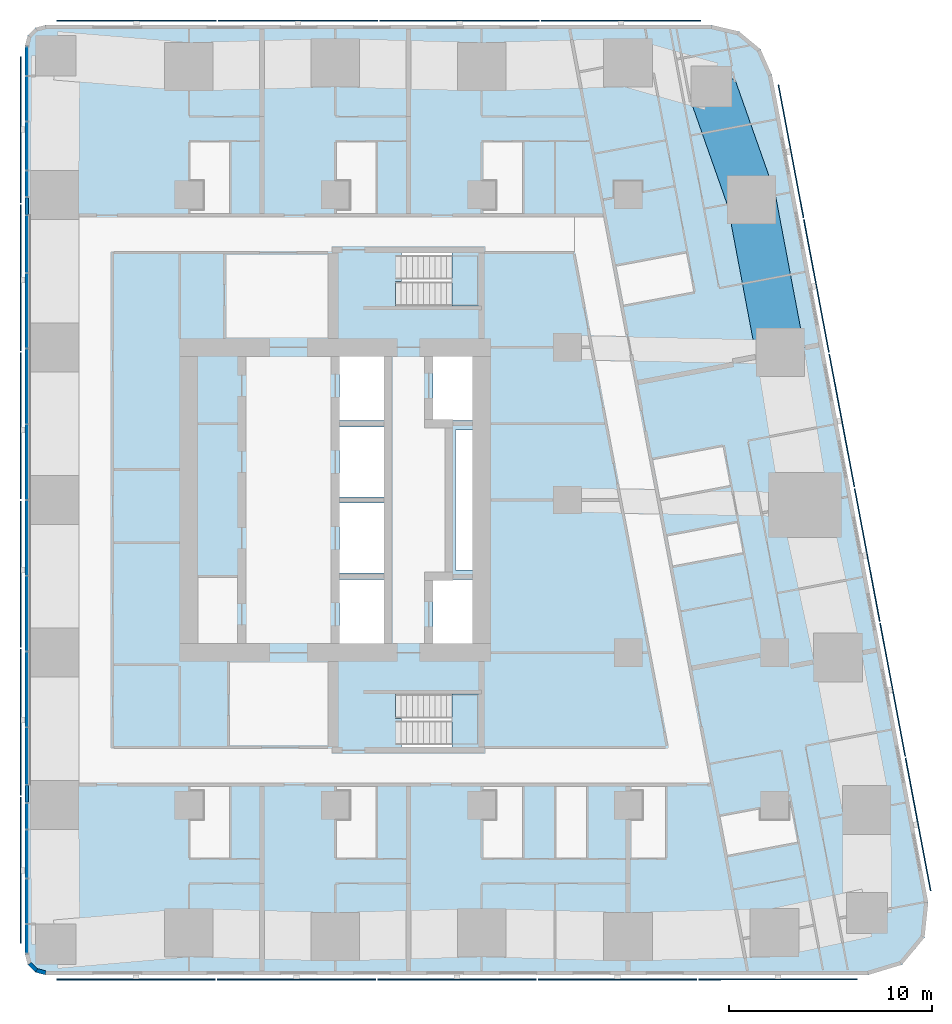
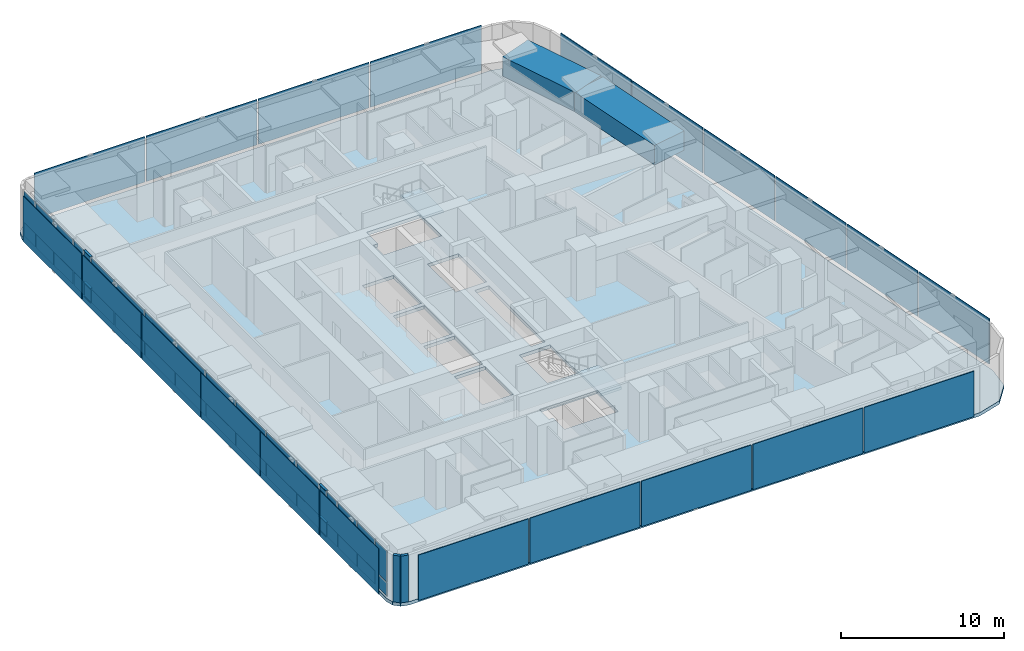
# One storey, part 6 of 17: 57 plates, 6 members, 3 slabs, 2 beams, 2 walls, 3 elements without a shape of their own.
"""IFC4 building model written with IfcOpenShell, lengths in metres."""

from ifc_helpers import new_model, si_unit, direction, frame, frame_2d, origin, origin_2d, place, context, subcontext, project, spatial, polyline, rectangle, outline, extrude, material, layer, layer_set, material_profile, profile_set, type_object, element, aggregate, save


model = new_model("IFC4")

# Units and contexts
model_context = context("Model", 3, precision=1e-05, world=origin(), true_north=direction((0.0, 1.0)))
body_context = subcontext(model_context, "Body", "Model", "MODEL_VIEW")
ifc_project = project(units=[si_unit("LENGTHUNIT", "METRE"), si_unit("AREAUNIT", "SQUARE_METRE"), si_unit("VOLUMEUNIT", "CUBIC_METRE"), si_unit("PLANEANGLEUNIT", "RADIAN"), si_unit("MASSUNIT", "GRAM", prefix="KILO")], contexts=[model_context])

# Site, building, storey
site_placement = place(None, origin())
site = spatial("IfcSite", under=ifc_project, at=site_placement, CompositionType="ELEMENT")
building_placement = place(site_placement, origin())
building = spatial("IfcBuilding", under=site, at=building_placement, Name="Sheger Commons Tower", CompositionType="ELEMENT")
storey_placement = place(building_placement, frame((0.0, 0.0, 204.949951171875)))
storey = spatial("IfcBuildingStorey", under=building, at=storey_placement, Name="L52", CompositionType="ELEMENT", Elevation=204.949951171875)

# Beams
ifc_material_1 = material(Name="Concrete C50/60", Category="concrete")
ifc_material_profile_1 = material_profile(ifc_material_1, rectangle(XDim=2.39990234375, YDim=1.449951171875, at=origin_2d()), Name="RC 2400x1450")
ifc_profile_set_1 = profile_set([ifc_material_profile_1], Name="Concrete C50/60")
beam_type = type_object("IfcBeamType", Name="SPANDREL RC 2400x1450", PredefinedType="SPANDREL", material=ifc_profile_set_1)
beam_1_placement = place(storey_placement, frame((43.47998046875, 29.762939453125, 2.775146484375), z_axis=(-0.18552441405, 0.982639655108, 0.0), x_axis=(-0.982639655108, -0.18552441405, 0.0)))
element("IfcBeam", 1, at=beam_1_placement, inside=storey, type_object=beam_type, Name="Beam E/E-E/F under L53", PredefinedType="SPANDREL", context=body_context, shape_type="SweptSolid", body=[
    extrude(rectangle(XDim=2.39990234375, YDim=1.449951171875, at=origin_2d()), origin(), (0.0, 0.0, 1.0), 7.632568359375),
])
beam_2_placement = place(storey_placement, frame((42.06396484375, 37.262939453125, 2.775146484375), z_axis=(-0.332374403357, 0.943147526102, 0.0), x_axis=(-0.943147526102, -0.332374403357, 0.0)))
element("IfcBeam", 2, at=beam_2_placement, inside=storey, type_object=beam_type, Name="Beam E/F-41.490,44.505 under L53", PredefinedType="SPANDREL", context=body_context, shape_type="SweptSolid", body=[
    extrude(rectangle(XDim=2.39990234375, YDim=1.449951171875, at=origin_2d()), origin(), (0.0, 0.0, 1.0), 5.90283203125),
])

# Curtain wall, members, plates
ifc_material_2 = material(Name="Black aluminium curtain wall, dark tinted glazing", Category="aluminium")
curtain_wall_type = type_object("IfcCurtainWallType", Name="CURTAIN WALL CW4 GALLERY", PredefinedType="USERDEFINED", material=ifc_material_2)
curtain_wall_placement = place(storey_placement, origin())
curtain_wall = element("IfcCurtainWall", 3, at=curtain_wall_placement, inside=storey, type_object=curtain_wall_type, Name="Curtain Wall Cw4 Gallery W1 L52", ObjectType="UNITISED CURTAIN WALL", PredefinedType="USERDEFINED")
ifc_material_3 = material(Name="Black anodised aluminium", Category="aluminium")
ifc_material_profile_2 = material_profile(ifc_material_3, rectangle(XDim=0.14990234375, YDim=0.06494140625, at=origin_2d()), Name="AL 65x150")
ifc_profile_set_2 = profile_set([ifc_material_profile_2], Name="Black anodised aluminium")
member_type = type_object("IfcMemberType", Name="TRANSOM AL 65x150", PredefinedType="USERDEFINED", material=ifc_profile_set_2)
member_1_placement = place(storey_placement, frame((6.449951171875, 37.3583984375, 0.032470703125), z_axis=(0.0, -1.0, 0.0), x_axis=(1.0, 0.0, 0.0)))
member_1 = element("IfcMember", 4, at=member_1_placement, type_object=member_type, Name="CW4 transom 5.1", ObjectType="TRANSOM", PredefinedType="USERDEFINED", context=body_context, shape_type="SweptSolid", body=[
    extrude(rectangle(XDim=0.14990234375, YDim=0.06494140625, at=origin_2d()), origin(), (0.0, 0.0, 1.0), 0.825927734375),
])
member_2_placement = place(storey_placement, frame((6.449951171875, 37.3583984375, 1.10009765625), z_axis=(0.0, -1.0, 0.0), x_axis=(1.0, 0.0, 0.0)))
member_2 = element("IfcMember", 5, at=member_2_placement, type_object=member_type, Name="CW4 transom 5.2", ObjectType="TRANSOM", PredefinedType="USERDEFINED", context=body_context, shape_type="SweptSolid", body=[
    extrude(rectangle(XDim=0.14990234375, YDim=0.06494140625, at=origin_2d()), origin(), (0.0, 0.0, 1.0), 0.825927734375),
])
member_3_placement = place(storey_placement, frame((6.449951171875, 37.3583984375, 3.467529296875), z_axis=(0.0, -1.0, 0.0), x_axis=(1.0, 0.0, 0.0)))
member_3 = element("IfcMember", 6, at=member_3_placement, type_object=member_type, Name="CW4 transom 5.3", ObjectType="TRANSOM", PredefinedType="USERDEFINED", context=body_context, shape_type="SweptSolid", body=[
    extrude(rectangle(XDim=0.14990234375, YDim=0.06494140625, at=origin_2d()), origin(), (0.0, 0.0, 1.0), 0.825927734375),
])
member_4_placement = place(storey_placement, frame((6.449951171875, 8.467529296875, 0.032470703125), z_axis=(0.0, -1.0, 0.0), x_axis=(1.0, 0.0, 0.0)))
member_4 = element("IfcMember", 7, at=member_4_placement, type_object=member_type, Name="CW4 transom 14.1", ObjectType="TRANSOM", PredefinedType="USERDEFINED", context=body_context, shape_type="SweptSolid", body=[
    extrude(rectangle(XDim=0.14990234375, YDim=0.06494140625, at=origin_2d()), origin(), (0.0, 0.0, 1.0), 0.825927734375),
])
member_5_placement = place(storey_placement, frame((6.449951171875, 8.467529296875, 1.10009765625), z_axis=(0.0, -1.0, 0.0), x_axis=(1.0, 0.0, 0.0)))
member_5 = element("IfcMember", 8, at=member_5_placement, type_object=member_type, Name="CW4 transom 14.2", ObjectType="TRANSOM", PredefinedType="USERDEFINED", context=body_context, shape_type="SweptSolid", body=[
    extrude(rectangle(XDim=0.14990234375, YDim=0.06494140625, at=origin_2d()), origin(), (0.0, 0.0, 1.0), 0.825927734375),
])
member_6_placement = place(storey_placement, frame((6.449951171875, 8.467529296875, 3.467529296875), z_axis=(0.0, -1.0, 0.0), x_axis=(1.0, 0.0, 0.0)))
member_6 = element("IfcMember", 9, at=member_6_placement, type_object=member_type, Name="CW4 transom 14.3", ObjectType="TRANSOM", PredefinedType="USERDEFINED", context=body_context, shape_type="SweptSolid", body=[
    extrude(rectangle(XDim=0.14990234375, YDim=0.06494140625, at=origin_2d()), origin(), (0.0, 0.0, 1.0), 0.825927734375),
])
ifc_material_4 = material(Name="Dark tinted double glazing", Category="glass")
ifc_layer_1 = layer(ifc_material_4, 0.031982421875)
ifc_layer_set_1 = layer_set([ifc_layer_1], Name="GLAZED PANEL 32")
plate_type_1 = type_object("IfcPlateType", Name="GLAZED PANEL 32", PredefinedType="CURTAIN_PANEL", material=ifc_layer_set_1)
plate_1_placement = place(storey_placement, frame((6.449951171875, 44.0751953125, 0.065185546875), z_axis=(0.0, 0.0, 1.0), x_axis=(0.0, -1.0, 0.0)))
plate_1 = element("IfcPlate", 10, at=plate_1_placement, type_object=plate_type_1, Name="CW4 panel 1.1", PredefinedType="CURTAIN_PANEL", context=body_context, shape_type="SweptSolid", body=[
    extrude(rectangle(XDim=1.3935546875, YDim=0.031982421875, at=origin_2d()), origin(), (0.0, 0.0, 1.0), 1.00244140625),
])
plate_2_placement = place(storey_placement, frame((6.449951171875, 44.0751953125, 1.13232421875), z_axis=(0.0, 0.0, 1.0), x_axis=(0.0, -1.0, 0.0)))
plate_2 = element("IfcPlate", 11, at=plate_2_placement, type_object=plate_type_1, Name="CW4 panel 1.2", PredefinedType="CURTAIN_PANEL", context=body_context, shape_type="SweptSolid", body=[
    extrude(rectangle(XDim=1.3935546875, YDim=0.031982421875, at=origin_2d()), origin(), (0.0, 0.0, 1.0), 2.302490234375),
])
plate_3_placement = place(storey_placement, frame((6.449951171875, 42.22998046875, 0.065185546875), z_axis=(0.0, 0.0, 1.0), x_axis=(0.0, -1.0, 0.0)))
plate_3 = element("IfcPlate", 12, at=plate_3_placement, type_object=plate_type_1, Name="CW4 panel 2.1", PredefinedType="CURTAIN_PANEL", context=body_context, shape_type="SweptSolid", body=[
    extrude(rectangle(XDim=2.1669921875, YDim=0.031982421875, at=origin_2d()), origin(), (0.0, 0.0, 1.0), 1.00244140625),
])
plate_4_placement = place(storey_placement, frame((6.449951171875, 42.22998046875, 1.13232421875), z_axis=(0.0, 0.0, 1.0), x_axis=(0.0, -1.0, 0.0)))
plate_4 = element("IfcPlate", 13, at=plate_4_placement, type_object=plate_type_1, Name="CW4 panel 2.2", PredefinedType="CURTAIN_PANEL", context=body_context, shape_type="SweptSolid", body=[
    extrude(rectangle(XDim=2.1669921875, YDim=0.031982421875, at=origin_2d()), origin(), (0.0, 0.0, 1.0), 2.302490234375),
])
plate_5_placement = place(storey_placement, frame((6.449951171875, 39.906982421875, 0.065185546875), z_axis=(0.0, 0.0, 1.0), x_axis=(0.0, -1.0, 0.0)))
plate_5 = element("IfcPlate", 14, at=plate_5_placement, type_object=plate_type_1, Name="CW4 panel 3.1", PredefinedType="CURTAIN_PANEL", context=body_context, shape_type="SweptSolid", body=[
    extrude(rectangle(XDim=2.34912109375, YDim=0.031982421875, at=origin_2d()), origin(), (0.0, 0.0, 1.0), 1.00244140625),
])
plate_6_placement = place(storey_placement, frame((6.449951171875, 39.906982421875, 1.13232421875), z_axis=(0.0, 0.0, 1.0), x_axis=(0.0, -1.0, 0.0)))
plate_6 = element("IfcPlate", 15, at=plate_6_placement, type_object=plate_type_1, Name="CW4 panel 3.2", PredefinedType="CURTAIN_PANEL", context=body_context, shape_type="SweptSolid", body=[
    extrude(rectangle(XDim=2.34912109375, YDim=0.031982421875, at=origin_2d()), origin(), (0.0, 0.0, 1.0), 2.302490234375),
])
plate_7_placement = place(storey_placement, frame((6.449951171875, 38.04541015625, 0.065185546875), z_axis=(0.0, 0.0, 1.0), x_axis=(0.0, -1.0, 0.0)))
plate_7 = element("IfcPlate", 16, at=plate_7_placement, type_object=plate_type_1, Name="CW4 panel 4.1", PredefinedType="CURTAIN_PANEL", context=body_context, shape_type="SweptSolid", body=[
    extrude(rectangle(XDim=1.243896484375, YDim=0.031982421875, at=origin_2d()), origin(), (0.0, 0.0, 1.0), 1.00244140625),
])
plate_8_placement = place(storey_placement, frame((6.449951171875, 38.04541015625, 1.13232421875), z_axis=(0.0, 0.0, 1.0), x_axis=(0.0, -1.0, 0.0)))
plate_8 = element("IfcPlate", 17, at=plate_8_placement, type_object=plate_type_1, Name="CW4 panel 4.2", PredefinedType="CURTAIN_PANEL", context=body_context, shape_type="SweptSolid", body=[
    extrude(rectangle(XDim=1.243896484375, YDim=0.031982421875, at=origin_2d()), origin(), (0.0, 0.0, 1.0), 2.302490234375),
])
plate_9_placement = place(storey_placement, frame((6.449951171875, 36.945556640625, 0.065185546875), z_axis=(0.0, 0.0, 1.0), x_axis=(0.0, -1.0, 0.0)))
plate_9 = element("IfcPlate", 18, at=plate_9_placement, type_object=plate_type_1, Name="CW4 panel 5.1", PredefinedType="CURTAIN_PANEL", context=body_context, shape_type="SweptSolid", body=[
    extrude(rectangle(XDim=0.825927734375, YDim=0.031982421875, at=origin_2d()), origin(), (0.0, 0.0, 1.0), 1.00244140625),
])
plate_10_placement = place(storey_placement, frame((6.449951171875, 36.945556640625, 1.13232421875), z_axis=(0.0, 0.0, 1.0), x_axis=(0.0, -1.0, 0.0)))
plate_10 = element("IfcPlate", 19, at=plate_10_placement, type_object=plate_type_1, Name="CW4 panel 5.2", PredefinedType="CURTAIN_PANEL", context=body_context, shape_type="SweptSolid", body=[
    extrude(rectangle(XDim=0.825927734375, YDim=0.031982421875, at=origin_2d()), origin(), (0.0, 0.0, 1.0), 2.302490234375),
])
plate_11_placement = place(storey_placement, frame((6.449951171875, 35.083984375, 0.065185546875), z_axis=(0.0, 0.0, 1.0), x_axis=(0.0, -1.0, 0.0)))
plate_11 = element("IfcPlate", 20, at=plate_11_placement, type_object=plate_type_1, Name="CW4 panel 6.1", PredefinedType="CURTAIN_PANEL", context=body_context, shape_type="SweptSolid", body=[
    extrude(rectangle(XDim=2.76708984375, YDim=0.031982421875, at=origin_2d()), origin(), (0.0, 0.0, 1.0), 1.00244140625),
])
plate_12_placement = place(storey_placement, frame((6.449951171875, 35.083984375, 1.13232421875), z_axis=(0.0, 0.0, 1.0), x_axis=(0.0, -1.0, 0.0)))
plate_12 = element("IfcPlate", 21, at=plate_12_placement, type_object=plate_type_1, Name="CW4 panel 6.2", PredefinedType="CURTAIN_PANEL", context=body_context, shape_type="SweptSolid", body=[
    extrude(rectangle(XDim=2.76708984375, YDim=0.031982421875, at=origin_2d()), origin(), (0.0, 0.0, 1.0), 2.302490234375),
])
plate_13_placement = place(storey_placement, frame((6.449951171875, 31.806884765625, 0.065185546875), z_axis=(0.0, 0.0, 1.0), x_axis=(0.0, -1.0, 0.0)))
plate_13 = element("IfcPlate", 22, at=plate_13_placement, type_object=plate_type_1, Name="CW4 panel 7.1", PredefinedType="CURTAIN_PANEL", context=body_context, shape_type="SweptSolid", body=[
    extrude(rectangle(XDim=3.656982421875, YDim=0.031982421875, at=origin_2d()), origin(), (0.0, 0.0, 1.0), 1.00244140625),
])
plate_14_placement = place(storey_placement, frame((6.449951171875, 31.806884765625, 1.13232421875), z_axis=(0.0, 0.0, 1.0), x_axis=(0.0, -1.0, 0.0)))
plate_14 = element("IfcPlate", 23, at=plate_14_placement, type_object=plate_type_1, Name="CW4 panel 7.2", PredefinedType="CURTAIN_PANEL", context=body_context, shape_type="SweptSolid", body=[
    extrude(rectangle(XDim=3.656982421875, YDim=0.031982421875, at=origin_2d()), origin(), (0.0, 0.0, 1.0), 2.302490234375),
])
plate_15_placement = place(storey_placement, frame((6.449951171875, 28.08447265625, 0.065185546875), z_axis=(0.0, 0.0, 1.0), x_axis=(0.0, -1.0, 0.0)))
plate_15 = element("IfcPlate", 24, at=plate_15_placement, type_object=plate_type_1, Name="CW4 panel 8.1", PredefinedType="CURTAIN_PANEL", context=body_context, shape_type="SweptSolid", body=[
    extrude(rectangle(XDim=3.657958984375, YDim=0.031982421875, at=origin_2d()), origin(), (0.0, 0.0, 1.0), 1.00244140625),
])
plate_16_placement = place(storey_placement, frame((6.449951171875, 28.08447265625, 1.13232421875), z_axis=(0.0, 0.0, 1.0), x_axis=(0.0, -1.0, 0.0)))
plate_16 = element("IfcPlate", 25, at=plate_16_placement, type_object=plate_type_1, Name="CW4 panel 8.2", PredefinedType="CURTAIN_PANEL", context=body_context, shape_type="SweptSolid", body=[
    extrude(rectangle(XDim=3.657958984375, YDim=0.031982421875, at=origin_2d()), origin(), (0.0, 0.0, 1.0), 2.302490234375),
])
plate_17_placement = place(storey_placement, frame((6.449951171875, 24.361572265625, 0.065185546875), z_axis=(0.0, 0.0, 1.0), x_axis=(0.0, -1.0, 0.0)))
plate_17 = element("IfcPlate", 26, at=plate_17_placement, type_object=plate_type_1, Name="CW4 panel 9.1", PredefinedType="CURTAIN_PANEL", context=body_context, shape_type="SweptSolid", body=[
    extrude(rectangle(XDim=3.657958984375, YDim=0.031982421875, at=origin_2d()), origin(), (0.0, 0.0, 1.0), 1.00244140625),
])
plate_18_placement = place(storey_placement, frame((6.449951171875, 24.361572265625, 1.13232421875), z_axis=(0.0, 0.0, 1.0), x_axis=(0.0, -1.0, 0.0)))
plate_18 = element("IfcPlate", 27, at=plate_18_placement, type_object=plate_type_1, Name="CW4 panel 9.2", PredefinedType="CURTAIN_PANEL", context=body_context, shape_type="SweptSolid", body=[
    extrude(rectangle(XDim=3.657958984375, YDim=0.031982421875, at=origin_2d()), origin(), (0.0, 0.0, 1.0), 2.302490234375),
])
plate_19_placement = place(storey_placement, frame((6.449951171875, 20.638427734375, 0.065185546875), z_axis=(0.0, 0.0, 1.0), x_axis=(0.0, -1.0, 0.0)))
plate_19 = element("IfcPlate", 28, at=plate_19_placement, type_object=plate_type_1, Name="CW4 panel 10.1", PredefinedType="CURTAIN_PANEL", context=body_context, shape_type="SweptSolid", body=[
    extrude(rectangle(XDim=3.657958984375, YDim=0.031982421875, at=origin_2d()), origin(), (0.0, 0.0, 1.0), 1.00244140625),
])
plate_20_placement = place(storey_placement, frame((6.449951171875, 20.638427734375, 1.13232421875), z_axis=(0.0, 0.0, 1.0), x_axis=(0.0, -1.0, 0.0)))
plate_20 = element("IfcPlate", 29, at=plate_20_placement, type_object=plate_type_1, Name="CW4 panel 10.2", PredefinedType="CURTAIN_PANEL", context=body_context, shape_type="SweptSolid", body=[
    extrude(rectangle(XDim=3.657958984375, YDim=0.031982421875, at=origin_2d()), origin(), (0.0, 0.0, 1.0), 2.302490234375),
])
plate_21_placement = place(storey_placement, frame((6.449951171875, 16.91552734375, 0.065185546875), z_axis=(0.0, 0.0, 1.0), x_axis=(0.0, -1.0, 0.0)))
plate_21 = element("IfcPlate", 30, at=plate_21_placement, type_object=plate_type_1, Name="CW4 panel 11.1", PredefinedType="CURTAIN_PANEL", context=body_context, shape_type="SweptSolid", body=[
    extrude(rectangle(XDim=3.657958984375, YDim=0.031982421875, at=origin_2d()), origin(), (0.0, 0.0, 1.0), 1.00244140625),
])
plate_22_placement = place(storey_placement, frame((6.449951171875, 16.91552734375, 1.13232421875), z_axis=(0.0, 0.0, 1.0), x_axis=(0.0, -1.0, 0.0)))
plate_22 = element("IfcPlate", 31, at=plate_22_placement, type_object=plate_type_1, Name="CW4 panel 11.2", PredefinedType="CURTAIN_PANEL", context=body_context, shape_type="SweptSolid", body=[
    extrude(rectangle(XDim=3.657958984375, YDim=0.031982421875, at=origin_2d()), origin(), (0.0, 0.0, 1.0), 2.302490234375),
])
plate_23_placement = place(storey_placement, frame((6.449951171875, 13.1923828125, 0.065185546875), z_axis=(0.0, 0.0, 1.0), x_axis=(0.0, -1.0, 0.0)))
plate_23 = element("IfcPlate", 32, at=plate_23_placement, type_object=plate_type_1, Name="CW4 panel 12.1", PredefinedType="CURTAIN_PANEL", context=body_context, shape_type="SweptSolid", body=[
    extrude(rectangle(XDim=3.657958984375, YDim=0.031982421875, at=origin_2d()), origin(), (0.0, 0.0, 1.0), 1.00244140625),
])
plate_24_placement = place(storey_placement, frame((6.449951171875, 13.1923828125, 1.13232421875), z_axis=(0.0, 0.0, 1.0), x_axis=(0.0, -1.0, 0.0)))
plate_24 = element("IfcPlate", 33, at=plate_24_placement, type_object=plate_type_1, Name="CW4 panel 12.2", PredefinedType="CURTAIN_PANEL", context=body_context, shape_type="SweptSolid", body=[
    extrude(rectangle(XDim=3.657958984375, YDim=0.031982421875, at=origin_2d()), origin(), (0.0, 0.0, 1.0), 2.302490234375),
])
plate_25_placement = place(storey_placement, frame((6.449951171875, 9.91552734375, 0.065185546875), z_axis=(0.0, 0.0, 1.0), x_axis=(0.0, -1.0, 0.0)))
plate_25 = element("IfcPlate", 34, at=plate_25_placement, type_object=plate_type_1, Name="CW4 panel 13.1", PredefinedType="CURTAIN_PANEL", context=body_context, shape_type="SweptSolid", body=[
    extrude(rectangle(XDim=2.76611328125, YDim=0.031982421875, at=origin_2d()), origin(), (0.0, 0.0, 1.0), 1.00244140625),
])
plate_26_placement = place(storey_placement, frame((6.449951171875, 9.91552734375, 1.13232421875), z_axis=(0.0, 0.0, 1.0), x_axis=(0.0, -1.0, 0.0)))
plate_26 = element("IfcPlate", 35, at=plate_26_placement, type_object=plate_type_1, Name="CW4 panel 13.2", PredefinedType="CURTAIN_PANEL", context=body_context, shape_type="SweptSolid", body=[
    extrude(rectangle(XDim=2.76611328125, YDim=0.031982421875, at=origin_2d()), origin(), (0.0, 0.0, 1.0), 2.302490234375),
])
plate_27_placement = place(storey_placement, frame((6.449951171875, 8.054443359375, 0.065185546875), z_axis=(0.0, 0.0, 1.0), x_axis=(0.0, -1.0, 0.0)))
plate_27 = element("IfcPlate", 36, at=plate_27_placement, type_object=plate_type_1, Name="CW4 panel 14.1", PredefinedType="CURTAIN_PANEL", context=body_context, shape_type="SweptSolid", body=[
    extrude(rectangle(XDim=0.825927734375, YDim=0.031982421875, at=origin_2d()), origin(), (0.0, 0.0, 1.0), 1.00244140625),
])
plate_28_placement = place(storey_placement, frame((6.449951171875, 8.054443359375, 1.13232421875), z_axis=(0.0, 0.0, 1.0), x_axis=(0.0, -1.0, 0.0)))
plate_28 = element("IfcPlate", 37, at=plate_28_placement, type_object=plate_type_1, Name="CW4 panel 14.2", PredefinedType="CURTAIN_PANEL", context=body_context, shape_type="SweptSolid", body=[
    extrude(rectangle(XDim=0.825927734375, YDim=0.031982421875, at=origin_2d()), origin(), (0.0, 0.0, 1.0), 2.302490234375),
])
plate_29_placement = place(storey_placement, frame((6.449951171875, 6.95458984375, 0.065185546875), z_axis=(0.0, 0.0, 1.0), x_axis=(0.0, -1.0, 0.0)))
plate_29 = element("IfcPlate", 38, at=plate_29_placement, type_object=plate_type_1, Name="CW4 panel 15.1", PredefinedType="CURTAIN_PANEL", context=body_context, shape_type="SweptSolid", body=[
    extrude(rectangle(XDim=1.243896484375, YDim=0.031982421875, at=origin_2d()), origin(), (0.0, 0.0, 1.0), 1.00244140625),
])
plate_30_placement = place(storey_placement, frame((6.449951171875, 6.95458984375, 1.13232421875), z_axis=(0.0, 0.0, 1.0), x_axis=(0.0, -1.0, 0.0)))
plate_30 = element("IfcPlate", 39, at=plate_30_placement, type_object=plate_type_1, Name="CW4 panel 15.2", PredefinedType="CURTAIN_PANEL", context=body_context, shape_type="SweptSolid", body=[
    extrude(rectangle(XDim=1.243896484375, YDim=0.031982421875, at=origin_2d()), origin(), (0.0, 0.0, 1.0), 2.302490234375),
])
plate_31_placement = place(storey_placement, frame((6.449951171875, 5.093017578125, 0.065185546875), z_axis=(0.0, 0.0, 1.0), x_axis=(0.0, -1.0, 0.0)))
plate_31 = element("IfcPlate", 40, at=plate_31_placement, type_object=plate_type_1, Name="CW4 panel 16.1", PredefinedType="CURTAIN_PANEL", context=body_context, shape_type="SweptSolid", body=[
    extrude(rectangle(XDim=2.34912109375, YDim=0.031982421875, at=origin_2d()), origin(), (0.0, 0.0, 1.0), 1.00244140625),
])
plate_32_placement = place(storey_placement, frame((6.449951171875, 5.093017578125, 1.13232421875), z_axis=(0.0, 0.0, 1.0), x_axis=(0.0, -1.0, 0.0)))
plate_32 = element("IfcPlate", 41, at=plate_32_placement, type_object=plate_type_1, Name="CW4 panel 16.2", PredefinedType="CURTAIN_PANEL", context=body_context, shape_type="SweptSolid", body=[
    extrude(rectangle(XDim=2.34912109375, YDim=0.031982421875, at=origin_2d()), origin(), (0.0, 0.0, 1.0), 2.302490234375),
])
plate_33_placement = place(storey_placement, frame((6.449951171875, 2.77001953125, 0.065185546875), z_axis=(0.0, 0.0, 1.0), x_axis=(0.0, -1.0, 0.0)))
plate_33 = element("IfcPlate", 42, at=plate_33_placement, type_object=plate_type_1, Name="CW4 panel 17.1", PredefinedType="CURTAIN_PANEL", context=body_context, shape_type="SweptSolid", body=[
    extrude(rectangle(XDim=2.1669921875, YDim=0.031982421875, at=origin_2d()), origin(), (0.0, 0.0, 1.0), 1.00244140625),
])
plate_34_placement = place(storey_placement, frame((6.449951171875, 2.77001953125, 1.13232421875), z_axis=(0.0, 0.0, 1.0), x_axis=(0.0, -1.0, 0.0)))
plate_34 = element("IfcPlate", 43, at=plate_34_placement, type_object=plate_type_1, Name="CW4 panel 17.2", PredefinedType="CURTAIN_PANEL", context=body_context, shape_type="SweptSolid", body=[
    extrude(rectangle(XDim=2.1669921875, YDim=0.031982421875, at=origin_2d()), origin(), (0.0, 0.0, 1.0), 2.302490234375),
])
plate_35_placement = place(storey_placement, frame((6.449951171875, 0.9248046875, 0.065185546875), z_axis=(0.0, 0.0, 1.0), x_axis=(0.0, -1.0, 0.0)))
plate_35 = element("IfcPlate", 44, at=plate_35_placement, type_object=plate_type_1, Name="CW4 panel 18.1", PredefinedType="CURTAIN_PANEL", context=body_context, shape_type="SweptSolid", body=[
    extrude(rectangle(XDim=1.3935546875, YDim=0.031982421875, at=origin_2d()), origin(), (0.0, 0.0, 1.0), 1.00244140625),
])
plate_36_placement = place(storey_placement, frame((6.449951171875, 0.9248046875, 1.13232421875), z_axis=(0.0, 0.0, 1.0), x_axis=(0.0, -1.0, 0.0)))
plate_36 = element("IfcPlate", 45, at=plate_36_placement, type_object=plate_type_1, Name="CW4 panel 18.2", PredefinedType="CURTAIN_PANEL", context=body_context, shape_type="SweptSolid", body=[
    extrude(rectangle(XDim=1.3935546875, YDim=0.031982421875, at=origin_2d()), origin(), (0.0, 0.0, 1.0), 2.302490234375),
])
aggregate(curtain_wall, [plate_1, plate_2, plate_3, plate_4, plate_5, plate_6, plate_7, plate_8, member_1, member_2, member_3, plate_9, plate_10, plate_11, plate_12, plate_13, plate_14, plate_15, plate_16, plate_17, plate_18, plate_19, plate_20, plate_21, plate_22, plate_23, plate_24, plate_25, plate_26, member_4, member_5, member_6, plate_27, plate_28, plate_29, plate_30, plate_31, plate_32, plate_33, plate_34, plate_35, plate_36])

# Slab
ifc_material_5 = material(Name="Concrete C35/45", Category="concrete")
ifc_layer_2 = layer(ifc_material_5, 0.25)
ifc_layer_set_2 = layer_set([ifc_layer_2], Name="SLAB FLOOR 250")
slab_type_1 = type_object("IfcSlabType", Name="SLAB FLOOR 250", PredefinedType="FLOOR", material=ifc_layer_set_2)
slab_1_placement = place(storey_placement, frame((0.0, 0.0, -0.25)))
element("IfcSlab", 46, at=slab_1_placement, inside=storey, type_object=slab_type_1, Name="L52 floor slab", PredefinedType="FLOOR", context=body_context, shape_type="SweptSolid", body=[
    extrude(outline(polyline([(6.35009765625, 0.14990234375), (6.48388671875, -0.35009765625), (6.85009765625, -0.716064453125), (7.35009765625, -0.85009765625), (47.805908203125, -0.85009765625), (49.465087890625, -0.35009765625), (50.570068359375, 0.98388671875), (50.75390625, 2.70703125), (43.06591796875, 43.406982421875), (42.509033203125, 44.660888671875), (41.452880859375, 45.535888671875), (40.117919921875, 45.85009765625), (7.35009765625, 45.85009765625), (6.85009765625, 45.716064453125), (6.48388671875, 45.35009765625), (6.35009765625, 44.85009765625), (6.35009765625, 0.14990234375)]), holes=[polyline([(24.85009765625, 10.35009765625), (28.64990234375, 10.35009765625), (28.64990234375, 12.949951171875), (24.551025390625, 12.949951171875), (24.551025390625, 11.75), (24.85009765625, 11.75), (24.85009765625, 10.35009765625)]), polyline([(24.551025390625, 32.050048828125), (28.64990234375, 32.050048828125), (28.64990234375, 34.64990234375), (24.85009765625, 34.64990234375), (24.85009765625, 33.25), (24.551025390625, 33.25), (24.551025390625, 32.050048828125)]), polyline([(26.39990234375, 15.14990234375), (28.60009765625, 15.14990234375), (28.60009765625, 18.60009765625), (26.39990234375, 18.60009765625), (26.39990234375, 15.14990234375)]), polyline([(26.39990234375, 26.39990234375), (28.60009765625, 26.39990234375), (28.60009765625, 29.85009765625), (26.39990234375, 29.85009765625), (26.39990234375, 26.39990234375)]), polyline([(21.800048828125, 15.14990234375), (24.0, 15.14990234375), (24.0, 18.60009765625), (21.800048828125, 18.60009765625), (21.800048828125, 15.14990234375)]), polyline([(21.800048828125, 18.89990234375), (24.0, 18.89990234375), (24.0, 22.35009765625), (21.800048828125, 22.35009765625), (21.800048828125, 18.89990234375)]), polyline([(21.800048828125, 22.64990234375), (24.0, 22.64990234375), (24.0, 26.10009765625), (21.800048828125, 26.10009765625), (21.800048828125, 22.64990234375)]), polyline([(21.800048828125, 26.39990234375), (24.0, 26.39990234375), (24.0, 29.85009765625), (21.800048828125, 29.85009765625), (21.800048828125, 26.39990234375)]), polyline([(27.5, 19.050048828125), (28.5, 19.050048828125), (28.5, 25.949951171875), (27.5, 25.949951171875), (27.5, 19.050048828125)])]), origin(), (0.0, 0.0, 1.0), 0.25),
])

# Plates
ifc_material_6 = material(Name="Perforated black anodised aluminium screen", Category="aluminium")
ifc_layer_3 = layer(ifc_material_6, 0.050048828125)
ifc_layer_set_3 = layer_set([ifc_layer_3], Name="SOLAR SCREEN SCREEN-1")
plate_type_2 = type_object("IfcPlateType", Name="SOLAR SCREEN SCREEN-1", PredefinedType="USERDEFINED", material=ifc_layer_set_3)
for number, where, z_axis, x_axis, name in (
    (47, (11.7958984375, -1.074951171875, 0.050048828125), (0.0, 0.0, 1.0), (1.0, 0.0, 0.0), "Perforated solar screen panel"),
    (48, (19.68701171875, -1.074951171875, 0.050048828125), (0.0, 0.0, 1.0), (1.0, 0.0, 0.0), "Perforated solar screen panel"),
    (49, (27.577880859375, -1.074951171875, 0.050048828125), (0.0, 0.0, 1.0), (1.0, 0.0, 0.0), "Perforated solar screen panel"),
    (50, (35.468994140625, -1.074951171875, 0.050048828125), (0.0, 0.0, 1.0), (1.0, 0.0, 0.0), "Perforated solar screen panel"),
    (51, (43.360107421875, -1.074951171875, 0.050048828125), (0.0, 0.0, 1.0), (1.0, 0.0, 0.0), "Perforated solar screen panel"),
):
    element("IfcPlate", number, at=place(storey_placement, frame(where, z_axis=z_axis, x_axis=x_axis)), inside=storey, type_object=plate_type_2, Name=name, ObjectType="SCREEN", PredefinedType="USERDEFINED", context=body_context, shape_type="SweptSolid", body=[
        extrude(rectangle(XDim=7.791015625, YDim=0.050048828125, at=origin_2d()), origin(), (0.0, 0.0, 1.0), 3.39990234375),
    ])
for number, where, z_axis, x_axis, name in (
    (52, (50.257080078125, 6.550048828125, 0.050048828125), (0.0, 0.0, 1.0), (-0.185615165645, 0.982622516678, 0.0), "Perforated solar screen panel"),
    (53, (49.007080078125, 13.1689453125, 0.050048828125), (0.0, 0.0, 1.0), (-0.185615165645, 0.982622516678, 0.0), "Perforated solar screen panel"),
    (54, (47.756103515625, 19.7890625, 0.050048828125), (0.0, 0.0, 1.0), (-0.185615165645, 0.982622516678, 0.0), "Perforated solar screen panel"),
    (55, (46.506103515625, 26.408935546875, 0.050048828125), (0.0, 0.0, 1.0), (-0.185615165645, 0.982622516678, 0.0), "Perforated solar screen panel"),
    (56, (45.2548828125, 33.028076171875, 0.050048828125), (0.0, 0.0, 1.0), (-0.185615165645, 0.982622516678, 0.0), "Perforated solar screen panel"),
    (57, (44.0048828125, 39.64794921875, 0.050048828125), (0.0, 0.0, 1.0), (-0.185615165645, 0.982622516678, 0.0), "Perforated solar screen panel"),
):
    element("IfcPlate", number, at=place(storey_placement, frame(where, z_axis=z_axis, x_axis=x_axis)), inside=storey, type_object=plate_type_2, Name=name, ObjectType="SCREEN", PredefinedType="USERDEFINED", context=body_context, shape_type="SweptSolid", body=[
        extrude(rectangle(XDim=6.636962890625, YDim=0.050048828125, at=origin_2d()), origin(), (0.0, 0.0, 1.0), 3.39990234375),
    ])
for number, where, z_axis, x_axis, name in (
    (58, (35.64697265625, 46.074951171875, 0.050048828125), (0.0, 0.0, 1.0), (-1.0, 0.0, 0.0), "Perforated solar screen panel"),
    (59, (27.705078125, 46.074951171875, 0.050048828125), (0.0, 0.0, 1.0), (-1.0, 0.0, 0.0), "Perforated solar screen panel"),
    (60, (19.762939453125, 46.074951171875, 0.050048828125), (0.0, 0.0, 1.0), (-1.0, 0.0, 0.0), "Perforated solar screen panel"),
    (61, (11.821044921875, 46.074951171875, 0.050048828125), (0.0, 0.0, 1.0), (-1.0, 0.0, 0.0), "Perforated solar screen panel"),
):
    element("IfcPlate", number, at=place(storey_placement, frame(where, z_axis=z_axis, x_axis=x_axis)), inside=storey, type_object=plate_type_2, Name=name, ObjectType="SCREEN", PredefinedType="USERDEFINED", context=body_context, shape_type="SweptSolid", body=[
        extrude(rectangle(XDim=7.842041015625, YDim=0.050048828125, at=origin_2d()), origin(), (0.0, 0.0, 1.0), 3.39990234375),
    ])
for number, where, z_axis, x_axis, name in (
    (62, (6.125, 40.7080078125, 0.050048828125), (0.0, 0.0, 1.0), (0.0, -1.0, 0.0), "Perforated solar screen panel"),
    (63, (6.125, 33.425048828125, 0.050048828125), (0.0, 0.0, 1.0), (0.0, -1.0, 0.0), "Perforated solar screen panel"),
    (64, (6.125, 26.14208984375, 0.050048828125), (0.0, 0.0, 1.0), (0.0, -1.0, 0.0), "Perforated solar screen panel"),
    (65, (6.125, 18.85791015625, 0.050048828125), (0.0, 0.0, 1.0), (0.0, -1.0, 0.0), "Perforated solar screen panel"),
    (66, (6.125, 11.574951171875, 0.050048828125), (0.0, 0.0, 1.0), (0.0, -1.0, 0.0), "Perforated solar screen panel"),
    (67, (6.125, 4.2919921875, 0.050048828125), (0.0, 0.0, 1.0), (0.0, -1.0, 0.0), "Perforated solar screen panel"),
):
    element("IfcPlate", number, at=place(storey_placement, frame(where, z_axis=z_axis, x_axis=x_axis)), inside=storey, type_object=plate_type_2, Name=name, ObjectType="SCREEN", PredefinedType="USERDEFINED", context=body_context, shape_type="SweptSolid", body=[
        extrude(rectangle(XDim=7.18310546875, YDim=0.050048828125, at=origin_2d()), origin(), (0.0, 0.0, 1.0), 3.39990234375),
    ])

# Stair, slab
ifc_material_7 = material(Name="Concrete C35/45", Category="concrete")
stair_type = type_object("IfcStairType", Name="HALF-TURN STAIR 1200 RISE 3750", PredefinedType="HALF_TURN_STAIR", material=ifc_material_7)
stair_1_placement = place(storey_placement, origin())
stair_1 = element("IfcStair", 68, at=stair_1_placement, inside=storey, type_object=stair_type, Name="Stair S1 L52", PredefinedType="HALF_TURN_STAIR")
ifc_material_8 = material(Name="Concrete C35/45", Category="concrete")
ifc_layer_4 = layer(ifc_material_8, 0.199951171875)
ifc_layer_set_4 = layer_set([ifc_layer_4], Name="STAIR LANDING 200")
slab_type_2 = type_object("IfcSlabType", Name="STAIR LANDING 200", PredefinedType="LANDING", material=ifc_layer_set_4)
slab_2_placement = place(storey_placement, frame((0.0, 0.0, 1.675048828125)))
slab_2 = element("IfcSlab", 69, at=slab_2_placement, type_object=slab_type_2, Name="S1 landing 1", PredefinedType="LANDING", context=body_context, shape_type="SweptSolid", body=[
    extrude(outline(polyline([(27.35009765625, 10.199951171875), (28.800048828125, 10.199951171875), (28.800048828125, 12.949951171875), (27.35009765625, 12.949951171875), (27.35009765625, 10.199951171875)])), origin(), (0.0, 0.0, 1.0), 0.199951171875),
])
aggregate(stair_1, [slab_2])

stair_2_placement = place(storey_placement, origin())
stair_2 = element("IfcStair", 70, at=stair_2_placement, inside=storey, type_object=stair_type, Name="Stair S2 L52", PredefinedType="HALF_TURN_STAIR")
slab_3_placement = place(storey_placement, frame((0.0, 0.0, 1.675048828125)))
slab_3 = element("IfcSlab", 71, at=slab_3_placement, type_object=slab_type_2, Name="S2 landing 1", PredefinedType="LANDING", context=body_context, shape_type="SweptSolid", body=[
    extrude(outline(polyline([(27.35009765625, 32.050048828125), (28.800048828125, 32.050048828125), (28.800048828125, 34.800048828125), (27.35009765625, 34.800048828125), (27.35009765625, 32.050048828125)])), origin(), (0.0, 0.0, 1.0), 0.199951171875),
])
aggregate(stair_2, [slab_3])

# Walls
ifc_material_9 = material(Name="Rendered concrete block masonry, dark grey", Category="masonry")
ifc_layer_5 = layer(ifc_material_9, 0.199951171875)
ifc_layer_set_5 = layer_set([ifc_layer_5], Name="FACADE WALL 200")
wall_type = type_object("IfcWallType", Name="FACADE WALL 200", PredefinedType="SOLIDWALL", material=ifc_layer_set_5)
wall_1_placement = place(storey_placement, frame((6.573974609375, -0.298095703125, 0.0), z_axis=(0.0, 0.0, 1.0), x_axis=(0.707369890659, -0.706843573776, 0.0)))
element("IfcWall", 72, at=wall_1_placement, inside=storey, type_object=wall_type, Name="Facade wall L52", PredefinedType="SOLIDWALL", context=body_context, shape_type="SweptSolid", body=[
    extrude(rectangle(XDim=0.4638671875, YDim=0.199951171875, at=frame_2d((0.23193359375, 0.0))), origin(), (0.0, 0.0, 1.0), 3.5),
])
wall_2_placement = place(storey_placement, frame((6.902099609375, -0.6259765625, 0.0), z_axis=(0.0, 0.0, 1.0), x_axis=(0.965655254015, -0.259826731483, 0.0)))
element("IfcWall", 73, at=wall_2_placement, inside=storey, type_object=wall_type, Name="Facade wall L52", PredefinedType="SOLIDWALL", context=body_context, shape_type="SweptSolid", body=[
    extrude(rectangle(XDim=0.477294921875, YDim=0.199951171875, at=frame_2d((0.23876953125, 0.0))), origin(), (0.0, 0.0, 1.0), 3.5),
])

save(model, "model.ifc")
